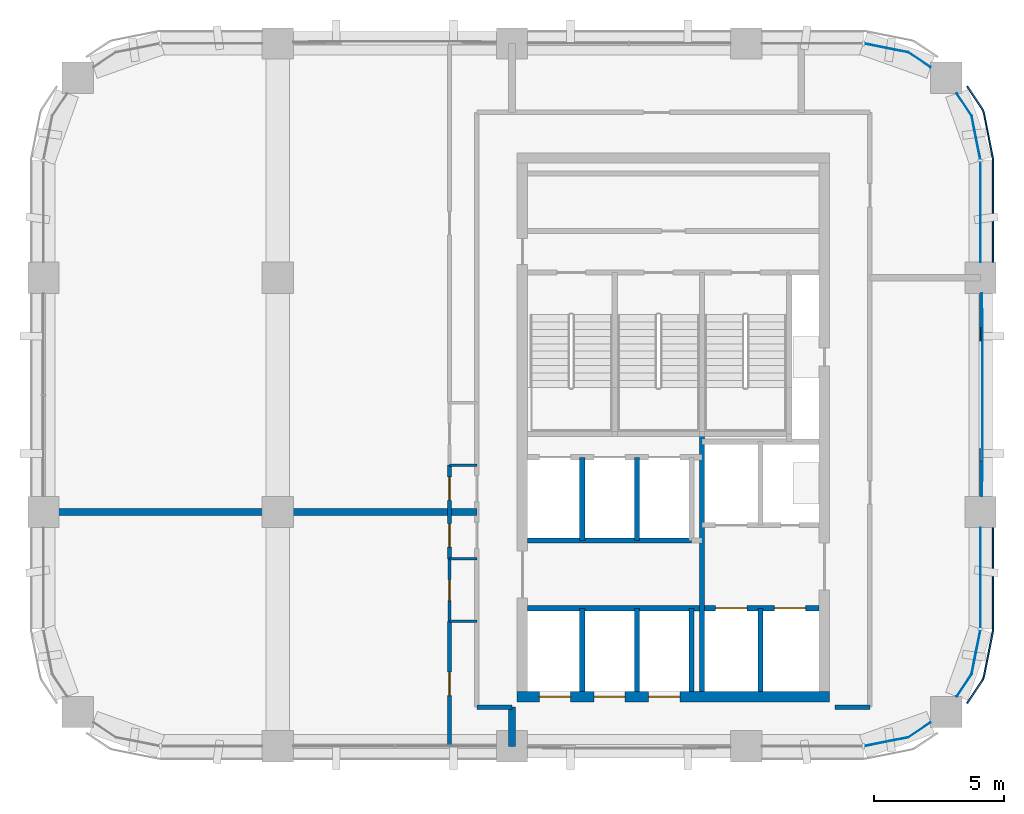
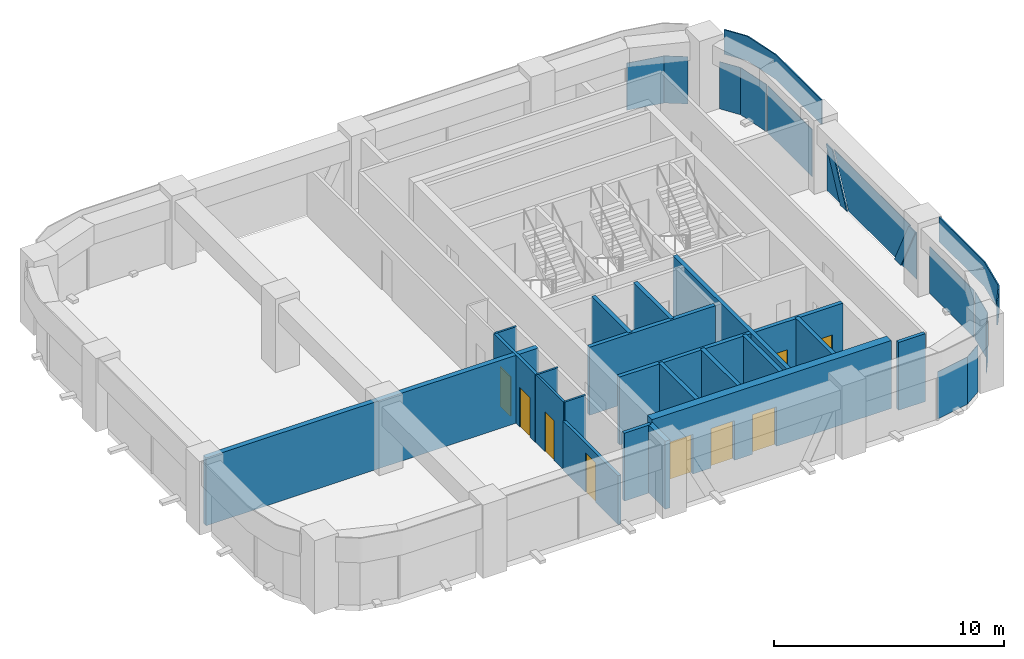
# One storey, part 6 of 9: 20 walls, 13 plates, 9 doors, 9 openings, 5 elements without a shape of their own.
"""IFC4 building model written with IfcOpenShell, lengths in metres."""

from ifc_helpers import new_model, si_unit, direction, frame, frame_2d, origin, origin_2d, place, context, subcontext, project, spatial, polyline, rectangle, outline, extrude, material, layer, layer_set, type_object, element, fill, aggregate, save


model = new_model("IFC4")

# Units and contexts
model_context = context("Model", 3, precision=1e-05, world=origin(), true_north=direction((0.0, 1.0)))
body_context = subcontext(model_context, "Body", "Model", "MODEL_VIEW")
ifc_project = project(units=[si_unit("LENGTHUNIT", "METRE"), si_unit("AREAUNIT", "SQUARE_METRE"), si_unit("VOLUMEUNIT", "CUBIC_METRE"), si_unit("PLANEANGLEUNIT", "RADIAN"), si_unit("MASSUNIT", "GRAM", prefix="KILO")], contexts=[model_context])

# Site, building, storey
site_placement = place(None, origin())
site = spatial("IfcSite", under=ifc_project, at=site_placement, CompositionType="ELEMENT")
building_placement = place(site_placement, origin())
building = spatial("IfcBuilding", under=site, at=building_placement, Name="Tessera Arch", CompositionType="ELEMENT")
storey_placement = place(building_placement, frame((0.0, 0.0, 277.39990234375)))
storey = spatial("IfcBuildingStorey", under=building, at=storey_placement, Name="L67", CompositionType="ELEMENT", Elevation=277.39990234375)

# Curtain wall, plates
ifc_material_1 = material(Name="CW2 curtain wall")
curtain_wall_type_1 = type_object("IfcCurtainWallType", Name="CW2 curtain wall", PredefinedType="NOTDEFINED", material=ifc_material_1)
curtain_wall_1_placement = place(storey_placement, origin())
curtain_wall_1 = element("IfcCurtainWall", 1, at=curtain_wall_1_placement, inside=storey, type_object=curtain_wall_type_1, Name="CW2 curtain wall E54.27/1 L67", PredefinedType="NOTDEFINED")
ifc_material_2 = material(Name="Clear low-e glass", Category="glass")
ifc_material_3 = material(Name="Clear low-e glass", Category="glass")
ifc_layer_1 = layer(ifc_material_3, 0.028076171875)
ifc_layer_set_1 = layer_set([ifc_layer_1], Name="CW2 glass panel")
plate_type_1 = type_object("IfcPlateType", Name="CW2 glass panel", PredefinedType="CURTAIN_PANEL", material=ifc_layer_set_1)
plate_1_placement = place(storey_placement, frame((54.0, 47.530029296875, 0.0), z_axis=(0.0, 0.0, 1.0), x_axis=(0.0, 1.0, 0.0)))
plate_1 = element("IfcPlate", 2, at=plate_1_placement, type_object=plate_type_1, material=ifc_material_2, Name="CW2 glass panel E54.27/1 1.1", PredefinedType="CURTAIN_PANEL", context=body_context, shape_type="SweptSolid", body=[
    extrude(rectangle(XDim=3.860107421875, YDim=0.028076171875, at=origin_2d()), origin(), (0.0, 0.0, 1.0), 2.5),
])
plate_2_placement = place(storey_placement, origin())
plate_2 = element("IfcPlate", 3, at=plate_2_placement, type_object=plate_type_1, material=ifc_material_2, Name="CW2 curved glass panel E54.27/1 2.1", PredefinedType="CURTAIN_PANEL", context=body_context, shape_type="SweptSolid", body=[
    extrude(outline(polyline([(53.644287109375, 51.216552734375), (53.978515625, 49.53662109375), (54.005859375, 49.5419921875), (53.670654296875, 51.2275390625), (53.094482421875, 52.08984375), (53.0712890625, 52.07421875), (53.644287109375, 51.216552734375)])), origin(), (0.0, 0.0, 1.0), 2.5),
])

# Curtain wall, plate
curtain_wall_2_placement = place(storey_placement, origin())
curtain_wall_2 = element("IfcCurtainWall", 4, at=curtain_wall_2_placement, inside=storey, type_object=curtain_wall_type_1, Name="CW2 curtain wall N54.18/0 L67", PredefinedType="NOTDEFINED")
plate_3_placement = place(storey_placement, origin())
plate_3 = element("IfcPlate", 5, at=plate_3_placement, type_object=plate_type_1, material=ifc_material_2, Name="CW2 curved glass panel N54.18/0 2.1", PredefinedType="CURTAIN_PANEL", context=body_context, shape_type="SweptSolid", body=[
    extrude(outline(polyline([(51.216552734375, 53.644287109375), (52.07421875, 53.0712890625), (52.08984375, 53.094482421875), (51.2275390625, 53.670654296875), (49.5419921875, 54.005859375), (49.53662109375, 53.978515625), (51.216552734375, 53.644287109375)])), origin(), (0.0, 0.0, 1.0), 2.5),
])
aggregate(curtain_wall_2, [plate_3])

curtain_wall_3_placement = place(storey_placement, origin())
curtain_wall_3 = element("IfcCurtainWall", 6, at=curtain_wall_3_placement, inside=storey, type_object=curtain_wall_type_1, Name="CW2 curtain wall S27.18/3 L67", PredefinedType="NOTDEFINED")
plate_4_placement = place(storey_placement, origin())
plate_4 = element("IfcPlate", 7, at=plate_4_placement, type_object=plate_type_1, material=ifc_material_2, Name="CW2 curved glass panel S27.18/3 2.1", PredefinedType="CURTAIN_PANEL", context=body_context, shape_type="SweptSolid", body=[
    extrude(outline(polyline([(51.216552734375, 27.355712890625), (49.53662109375, 27.021484375), (49.5419921875, 26.994140625), (51.2275390625, 27.329345703125), (52.08984375, 27.905517578125), (52.07421875, 27.9287109375), (51.216552734375, 27.355712890625)])), origin(), (0.0, 0.0, 1.0), 2.5),
])
aggregate(curtain_wall_3, [plate_4])

# Curtain wall, plates
curtain_wall_4_placement = place(storey_placement, origin())
curtain_wall_4 = element("IfcCurtainWall", 8, at=curtain_wall_4_placement, inside=storey, type_object=curtain_wall_type_1, Name="CW2 curtain wall E54.27/2 L67", PredefinedType="NOTDEFINED")
plate_5_placement = place(storey_placement, frame((54.0, 33.469970703125, 0.0), z_axis=(0.0, 0.0, 1.0), x_axis=(0.0, 1.0, 0.0)))
plate_5 = element("IfcPlate", 9, at=plate_5_placement, type_object=plate_type_1, material=ifc_material_2, Name="CW2 glass panel E54.27/2 1.1", PredefinedType="CURTAIN_PANEL", context=body_context, shape_type="SweptSolid", body=[
    extrude(rectangle(XDim=3.860107421875, YDim=0.028076171875, at=origin_2d()), origin(), (0.0, 0.0, 1.0), 2.5),
])
plate_6_placement = place(storey_placement, origin())
plate_6 = element("IfcPlate", 10, at=plate_6_placement, type_object=plate_type_1, material=ifc_material_2, Name="CW2 curved glass panel E54.27/2 2.1", PredefinedType="CURTAIN_PANEL", context=body_context, shape_type="SweptSolid", body=[
    extrude(outline(polyline([(53.644287109375, 29.783447265625), (53.0712890625, 28.92578125), (53.094482421875, 28.91015625), (53.670654296875, 29.7724609375), (54.005859375, 31.4580078125), (53.978515625, 31.46337890625), (53.644287109375, 29.783447265625)])), origin(), (0.0, 0.0, 1.0), 2.5),
])

# Plate
ifc_material_4 = material(Name="Pale anodised aluminium panel", Category="aluminium")
ifc_layer_2 = layer(ifc_material_4, 0.06005859375)
ifc_layer_set_2 = layer_set([ifc_layer_2], Name="CW2 spandrel panel")
plate_type_2 = type_object("IfcPlateType", Name="CW2 spandrel panel", PredefinedType="CURTAIN_PANEL", material=ifc_layer_set_2)
plate_7_placement = place(storey_placement, frame((0.0, 0.0, 2.60009765625)))
plate_7 = element("IfcPlate", 11, at=plate_7_placement, type_object=plate_type_2, Name="CW2 spandrel panel E54.27/1", PredefinedType="CURTAIN_PANEL", context=body_context, shape_type="SweptSolid", body=[
    extrude(outline(polyline([(54.449951171875, 49.499267578125), (54.449951171875, 45.60009765625), (54.510009765625, 45.60009765625), (54.510009765625, 49.500732421875), (54.507568359375, 49.550048828125), (54.500244140625, 49.598876953125), (54.157470703125, 51.322265625), (54.1455078125, 51.3701171875), (54.128662109375, 51.417236328125), (54.107421875, 51.462646484375), (54.08203125, 51.5048828125), (53.5068359375, 52.365234375), (53.45703125, 52.33203125), (54.03125, 51.47265625), (54.054443359375, 51.434326171875), (54.0732421875, 51.394287109375), (54.088134765625, 51.352783203125), (54.09912109375, 51.30908203125), (54.441162109375, 49.588623046875), (54.44775390625, 49.544189453125), (54.449951171875, 49.499267578125)])), origin(), (0.0, 0.0, 1.0), 1.300048828125),
])

aggregate(curtain_wall_1, [plate_1, plate_2, plate_7])

plate_8_placement = place(storey_placement, frame((0.0, 0.0, 2.60009765625)))
plate_8 = element("IfcPlate", 12, at=plate_8_placement, type_object=plate_type_2, Name="CW2 spandrel panel E54.27/2", PredefinedType="CURTAIN_PANEL", context=body_context, shape_type="SweptSolid", body=[
    extrude(outline(polyline([(54.03125, 29.52734375), (53.45703125, 28.66796875), (53.5068359375, 28.634765625), (54.08203125, 29.4951171875), (54.107421875, 29.537353515625), (54.128662109375, 29.582763671875), (54.1455078125, 29.6298828125), (54.157470703125, 29.677734375), (54.500244140625, 31.401123046875), (54.507568359375, 31.449951171875), (54.510009765625, 31.499267578125), (54.510009765625, 35.39990234375), (54.449951171875, 35.39990234375), (54.449951171875, 31.500732421875), (54.44775390625, 31.455810546875), (54.441162109375, 31.411376953125), (54.09912109375, 29.69091796875), (54.088134765625, 29.647216796875), (54.0732421875, 29.605712890625), (54.054443359375, 29.565673828125), (54.03125, 29.52734375)])), origin(), (0.0, 0.0, 1.0), 1.300048828125),
])

aggregate(curtain_wall_4, [plate_5, plate_6, plate_8])

# Curtain wall, plates
ifc_material_5 = material(Name="CW3 curtain wall")
curtain_wall_type_2 = type_object("IfcCurtainWallType", Name="CW3 curtain wall", PredefinedType="NOTDEFINED", material=ifc_material_5)
curtain_wall_5_placement = place(storey_placement, origin())
curtain_wall_5 = element("IfcCurtainWall", 13, at=curtain_wall_5_placement, inside=storey, type_object=curtain_wall_type_2, Name="CW3 curtain wall E54.27/0 L67", PredefinedType="NOTDEFINED")
ifc_material_6 = material(Name="Pale anodised aluminium panel", Category="aluminium")
ifc_layer_3 = layer(ifc_material_6, 0.06005859375)
ifc_layer_set_3 = layer_set([ifc_layer_3], Name="CW3 diagonal panel")
plate_type_3 = type_object("IfcPlateType", Name="CW3 diagonal panel", PredefinedType="CURTAIN_PANEL", material=ifc_layer_set_3)
plate_9_placement = place(storey_placement, frame((54.030029296875, 44.38232421875, 2.5), z_axis=(1.0, 0.0, 0.0), x_axis=(0.0, -1.0, 0.0)))
plate_9 = element("IfcPlate", 14, at=plate_9_placement, type_object=plate_type_3, Name="CW3 diagonal panel E54.27/0 1", PredefinedType="CURTAIN_PANEL", context=body_context, shape_type="SweptSolid", body=[
    extrude(outline(polyline([(0.0, 0.0), (0.564697265625, 0.0), (1.814697265625, 2.5), (1.25, 2.5), (0.0, 0.0)])), origin(), (0.0, 0.0, -1.0), 0.06005859375),
])
plate_10_placement = place(storey_placement, frame((54.030029296875, 37.182373046875, 2.5), z_axis=(1.0, 0.0, 0.0), x_axis=(0.0, -1.0, 0.0)))
plate_10 = element("IfcPlate", 15, at=plate_10_placement, type_object=plate_type_3, Name="CW3 diagonal panel E54.27/0 2", PredefinedType="CURTAIN_PANEL", context=body_context, shape_type="SweptSolid", body=[
    extrude(outline(polyline([(0.0, 0.0), (0.564697265625, 0.0), (-0.685302734375, 2.5), (-1.25, 2.5), (0.0, 0.0)])), origin(), (0.0, 0.0, -1.0), 0.06005859375),
])
ifc_material_7 = material(Name="Clear low-e glass", Category="glass")
ifc_layer_4 = layer(ifc_material_7, 0.028076171875)
ifc_layer_set_4 = layer_set([ifc_layer_4], Name="CW3 glass panel")
plate_type_4 = type_object("IfcPlateType", Name="CW3 glass panel", PredefinedType="CURTAIN_PANEL", material=ifc_layer_set_4)
plate_11_placement = place(storey_placement, frame((54.05810546875, 36.60009765625, 0.0), z_axis=(1.0, 0.0, 0.0), x_axis=(0.0, 1.0, 0.0)))
plate_11 = element("IfcPlate", 16, at=plate_11_placement, type_object=plate_type_4, material=ifc_material_2, Name="CW3 triangulated glass panel E54.27/0 1", PredefinedType="CURTAIN_PANEL", context=body_context, shape_type="SweptSolid", body=[
    extrude(outline(polyline([(0.0, 0.0), (1.267578125, 0.0), (0.017578125, 2.5), (0.0, 2.5), (0.0, 0.0)])), origin(), (0.0, 0.0, -1.0), 0.028076171875),
])
plate_12_placement = place(storey_placement, frame((54.0859375, 43.817626953125, 2.5), z_axis=(1.0, 0.0, 0.0), x_axis=(0.0, -1.0, 0.0)))
plate_12 = element("IfcPlate", 17, at=plate_12_placement, type_object=plate_type_4, material=ifc_material_2, Name="CW3 triangulated glass panel E54.27/0 2", PredefinedType="CURTAIN_PANEL", context=body_context, shape_type="SweptSolid", body=[
    extrude(outline(polyline([(0.0, 0.0), (6.63525390625, 0.0), (5.38525390625, 2.5), (1.25, 2.5), (0.0, 0.0)])), origin(), (0.0, 0.0, -1.0), 0.028076171875),
])
plate_13_placement = place(storey_placement, frame((54.05810546875, 44.39990234375, 2.5), z_axis=(1.0, 0.0, 0.0), x_axis=(0.0, -1.0, 0.0)))
plate_13 = element("IfcPlate", 18, at=plate_13_placement, type_object=plate_type_4, material=ifc_material_2, Name="CW3 triangulated glass panel E54.27/0 3", PredefinedType="CURTAIN_PANEL", context=body_context, shape_type="SweptSolid", body=[
    extrude(outline(polyline([(0.0, 0.0), (0.017578125, 0.0), (1.267578125, 2.5), (0.0, 2.5), (0.0, 0.0)])), origin(), (0.0, 0.0, -1.0), 0.028076171875),
])
aggregate(curtain_wall_5, [plate_11, plate_12, plate_13, plate_9, plate_10])

# Wall, openings, doors
ifc_material_8 = material(Name="Concrete C50/60", Category="concrete")
ifc_layer_5 = layer(ifc_material_8, 0.39990234375)
ifc_layer_set_5 = layer_set([ifc_layer_5], Name="Core shell wall 400 C50-60")
wall_type_1 = type_object("IfcWallType", Name="Core shell wall 400 C50-60", PredefinedType="SHEAR", material=ifc_layer_set_5)
wall_1_placement = place(storey_placement, frame((36.199951171875, 28.89990234375, 0.0), z_axis=(0.0, 0.0, 1.0), x_axis=(1.0, 0.0, 0.0)))
wall_1 = element("IfcWall", 19, at=wall_1_placement, inside=storey, type_object=wall_type_1, Name="L67 C1 core wall S", PredefinedType="SHEAR", context=body_context, shape_type="SweptSolid", body=[
    extrude(rectangle(XDim=12.0, YDim=0.39990234375, at=frame_2d((6.0, 0.0))), origin(), (0.0, 0.0, 1.0), 3.60009765625),
])
opening_1_placement = place(wall_1_placement, frame((0.85009765625, 0.0, 0.0)))
opening_1 = element("IfcOpeningElement", 20, at=opening_1_placement, cuts=wall_1, Name="Opening L67-C01", PredefinedType="OPENING", context=body_context, shape_type="SweptSolid", body=[
    extrude(rectangle(XDim=1.199951171875, YDim=2.10009765625, at=frame_2d((0.60009765625, 1.050048828125))), frame((0.0, 0.2099609375, 0.0), z_axis=(0.0, -1.0, 0.0), x_axis=(1.0, 0.0, 0.0)), (0.0, 0.0, 1.0), 0.419921875),
])
opening_2_placement = place(wall_1_placement, frame((2.949951171875, 0.0, 0.0)))
opening_2 = element("IfcOpeningElement", 21, at=opening_2_placement, cuts=wall_1, Name="Opening L67-C03", PredefinedType="OPENING", context=body_context, shape_type="SweptSolid", body=[
    extrude(rectangle(XDim=1.199951171875, YDim=2.10009765625, at=frame_2d((0.60009765625, 1.050048828125))), frame((0.0, 0.2099609375, 0.0), z_axis=(0.0, -1.0, 0.0), x_axis=(1.0, 0.0, 0.0)), (0.0, 0.0, 1.0), 0.419921875),
])
opening_3_placement = place(wall_1_placement, frame((5.050048828125, 0.0, 0.0)))
opening_3 = element("IfcOpeningElement", 22, at=opening_3_placement, cuts=wall_1, Name="Opening L67-C05", PredefinedType="OPENING", context=body_context, shape_type="SweptSolid", body=[
    extrude(rectangle(XDim=1.199951171875, YDim=2.10009765625, at=frame_2d((0.60009765625, 1.050048828125))), frame((0.0, 0.2099609375, 0.0), z_axis=(0.0, -1.0, 0.0), x_axis=(1.0, 0.0, 0.0)), (0.0, 0.0, 1.0), 0.419921875),
])
ifc_material_9 = material(Name="Stainless steel AISI 304", Category="steel")
door_type_1 = type_object("IfcDoorType", Name="Sliding landing door 1200 x 2100", OperationType="SLIDING_TO_LEFT", PredefinedType="DOOR", material=ifc_material_9)
door_1_placement = place(opening_1_placement, origin())
door_1 = element("IfcDoor", 23, at=door_1_placement, inside=storey, type_object=door_type_1, Name="L67 HR1 lift landing door C01 type LD", OperationType="SLIDING_TO_LEFT", OverallHeight=2.10009765625, OverallWidth=1.199951171875, PredefinedType="DOOR", context=body_context, shape_type="SweptSolid", body=[
    extrude(rectangle(XDim=1.199951171875, YDim=2.10009765625, at=frame_2d((0.60009765625, 1.050048828125))), frame((0.0, 0.02490234375, 0.0), z_axis=(0.0, -1.0, 0.0), x_axis=(1.0, 0.0, 0.0)), (0.0, 0.0, 1.0), 0.050048828125),
])
fill(opening_1, door_1)
door_2_placement = place(opening_2_placement, origin())
door_2 = element("IfcDoor", 24, at=door_2_placement, inside=storey, type_object=door_type_1, Name="L67 HR2 lift landing door C03 type LD", OperationType="SLIDING_TO_LEFT", OverallHeight=2.10009765625, OverallWidth=1.199951171875, PredefinedType="DOOR", context=body_context, shape_type="SweptSolid", body=[
    extrude(rectangle(XDim=1.199951171875, YDim=2.10009765625, at=frame_2d((0.60009765625, 1.050048828125))), frame((0.0, 0.02490234375, 0.0), z_axis=(0.0, -1.0, 0.0), x_axis=(1.0, 0.0, 0.0)), (0.0, 0.0, 1.0), 0.050048828125),
])
fill(opening_2, door_2)
door_3_placement = place(opening_3_placement, origin())
door_3 = element("IfcDoor", 25, at=door_3_placement, inside=storey, type_object=door_type_1, Name="L67 HR3 lift landing door C05 type LD", OperationType="SLIDING_TO_LEFT", OverallHeight=2.10009765625, OverallWidth=1.199951171875, PredefinedType="DOOR", context=body_context, shape_type="SweptSolid", body=[
    extrude(rectangle(XDim=1.199951171875, YDim=2.10009765625, at=frame_2d((0.60009765625, 1.050048828125))), frame((0.0, 0.02490234375, 0.0), z_axis=(0.0, -1.0, 0.0), x_axis=(1.0, 0.0, 0.0)), (0.0, 0.0, 1.0), 0.050048828125),
])
fill(opening_3, door_3)

# Walls
ifc_material_10 = material(Name="Gypsum board on deep steel stud with mineral wool", Category="steel")
ifc_layer_6 = layer(ifc_material_10, 0.175048828125)
ifc_layer_set_6 = layer_set([ifc_layer_6], Name="Corridor wall 175 EI 60")
wall_type_2 = type_object("IfcWallType", Name="Corridor wall 175 EI 60", PredefinedType="PARTITIONING", material=ifc_layer_set_6)
for number, where, z_axis, x_axis, name in (
    (26, (34.64990234375, 28.5, 0.0), (0.0, 0.0, 1.0), (1.0, 0.0, 0.0), "L67 partition 1"),
    (27, (48.39990234375, 28.5, 0.0), (0.0, 0.0, 1.0), (1.0, 0.0, 0.0), "L67 partition 2"),
):
    element("IfcWall", number, at=place(storey_placement, frame(where, z_axis=z_axis, x_axis=x_axis)), inside=storey, type_object=wall_type_2, Name=name, PredefinedType="PARTITIONING", context=body_context, shape_type="SweptSolid", body=[
        extrude(rectangle(XDim=1.35009765625, YDim=0.175048828125, at=frame_2d((0.675048828125, 0.0))), origin(), (0.0, 0.0, 1.0), 3.60009765625),
    ])

# Wall, opening, door
ifc_material_11 = material(Name="Gypsum board on steel stud", Category="steel")
ifc_layer_7 = layer(ifc_material_11, 0.14990234375)
ifc_layer_set_7 = layer_set([ifc_layer_7], Name="Partition 150")
wall_type_3 = type_object("IfcWallType", Name="Partition 150", PredefinedType="PARTITIONING", material=ifc_layer_set_7)
wall_2_placement = place(storey_placement, frame((33.60009765625, 27.0, 0.0), z_axis=(0.0, 0.0, 1.0), x_axis=(0.0, 1.0, 0.0)))
wall_2 = element("IfcWall", 28, at=wall_2_placement, inside=storey, type_object=wall_type_3, Name="L67 partition 6", PredefinedType="PARTITIONING", context=body_context, shape_type="SweptSolid", body=[
    extrude(rectangle(XDim=4.800048828125, YDim=0.14990234375, at=frame_2d((2.39990234375, 0.0))), origin(), (0.0, 0.0, 1.0), 2.60009765625),
])
opening_4_placement = place(wall_2_placement, frame((1.949951171875, 0.0, 0.0)))
opening_4 = element("IfcOpeningElement", 29, at=opening_4_placement, cuts=wall_2, Name="Opening L67-D004", PredefinedType="OPENING", context=body_context, shape_type="SweptSolid", body=[
    extrude(rectangle(XDim=0.89990234375, YDim=2.10009765625, at=frame_2d((0.449951171875, 1.050048828125))), frame((0.0, 0.0849609375, 0.0), z_axis=(0.0, -1.0, 0.0), x_axis=(1.0, 0.0, 0.0)), (0.0, 0.0, 1.0), 0.169921875),
])
ifc_material_12 = material(Name="Timber door leaf", Category="wood")
door_type_2 = type_object("IfcDoorType", Name="Room door 900 x 2100", OperationType="SINGLE_SWING_LEFT", PredefinedType="DOOR", material=ifc_material_12)
door_4_placement = place(opening_4_placement, origin())
door_4 = element("IfcDoor", 30, at=door_4_placement, inside=storey, type_object=door_type_2, Name="L67 door D004 type D01", OperationType="SINGLE_SWING_RIGHT", OverallHeight=2.10009765625, OverallWidth=0.89990234375, PredefinedType="DOOR", context=body_context, shape_type="SweptSolid", body=[
    extrude(rectangle(XDim=0.89990234375, YDim=2.10009765625, at=frame_2d((0.449951171875, 1.050048828125))), frame((0.0, 0.02490234375, 0.0), z_axis=(0.0, -1.0, 0.0), x_axis=(1.0, 0.0, 0.0)), (0.0, 0.0, 1.0), 0.050048828125),
])
fill(opening_4, door_4)

# Wall, openings, doors
wall_3_placement = place(storey_placement, frame((33.60009765625, 34.199951171875, 0.0), z_axis=(0.0, 0.0, 1.0), x_axis=(0.0, 1.0, 0.0)))
wall_3 = element("IfcWall", 31, at=wall_3_placement, inside=storey, type_object=wall_type_3, Name="L67 partition 7", PredefinedType="PARTITIONING", context=body_context, shape_type="SweptSolid", body=[
    extrude(rectangle(XDim=3.60009765625, YDim=0.14990234375, at=frame_2d((1.800048828125, 0.0))), origin(), (0.0, 0.0, 1.0), 3.60009765625),
])
opening_5_placement = place(wall_3_placement, frame((0.449951171875, 0.0, 0.0)))
opening_5 = element("IfcOpeningElement", 32, at=opening_5_placement, cuts=wall_3, Name="Opening L67-D002", PredefinedType="OPENING", context=body_context, shape_type="SweptSolid", body=[
    extrude(rectangle(XDim=0.89990234375, YDim=2.10009765625, at=frame_2d((0.449951171875, 1.050048828125))), frame((0.0, 0.0849609375, 0.0), z_axis=(0.0, -1.0, 0.0), x_axis=(1.0, 0.0, 0.0)), (0.0, 0.0, 1.0), 0.169921875),
])
opening_6_placement = place(wall_3_placement, frame((2.25, 0.0, 0.0)))
opening_6 = element("IfcOpeningElement", 33, at=opening_6_placement, cuts=wall_3, Name="Opening L67-D007", PredefinedType="OPENING", context=body_context, shape_type="SweptSolid", body=[
    extrude(rectangle(XDim=0.89990234375, YDim=2.10009765625, at=frame_2d((0.449951171875, 1.050048828125))), frame((0.0, 0.0849609375, 0.0), z_axis=(0.0, -1.0, 0.0), x_axis=(1.0, 0.0, 0.0)), (0.0, 0.0, 1.0), 0.169921875),
])
door_5_placement = place(opening_5_placement, origin())
door_5 = element("IfcDoor", 34, at=door_5_placement, inside=storey, type_object=door_type_2, Name="L67 door D002 type D01", OperationType="SINGLE_SWING_RIGHT", OverallHeight=2.10009765625, OverallWidth=0.89990234375, PredefinedType="DOOR", context=body_context, shape_type="SweptSolid", body=[
    extrude(rectangle(XDim=0.89990234375, YDim=2.10009765625, at=frame_2d((0.449951171875, 1.050048828125))), frame((0.0, 0.02490234375, 0.0), z_axis=(0.0, -1.0, 0.0), x_axis=(1.0, 0.0, 0.0)), (0.0, 0.0, 1.0), 0.050048828125),
])
fill(opening_5, door_5)
door_6_placement = place(opening_6_placement, origin())
door_6 = element("IfcDoor", 35, at=door_6_placement, inside=storey, type_object=door_type_2, Name="L67 door D007 type D01", OperationType="SINGLE_SWING_RIGHT", OverallHeight=2.10009765625, OverallWidth=0.89990234375, PredefinedType="DOOR", context=body_context, shape_type="SweptSolid", body=[
    extrude(rectangle(XDim=0.89990234375, YDim=2.10009765625, at=frame_2d((0.449951171875, 1.050048828125))), frame((0.0, 0.02490234375, 0.0), z_axis=(0.0, -1.0, 0.0), x_axis=(1.0, 0.0, 0.0)), (0.0, 0.0, 1.0), 0.050048828125),
])
fill(opening_6, door_6)

# Walls
ifc_material_13 = material(Name="Double gypsum board on twin steel stud with acoustic mineral wool", Category="steel")
ifc_layer_8 = layer(ifc_material_13, 0.25)
ifc_layer_set_8 = layer_set([ifc_layer_8], Name="Party wall 250 EI 60")
wall_type_4 = type_object("IfcWallType", Name="Party wall 250 EI 60", PredefinedType="PARTITIONING", material=ifc_layer_set_8)
wall_4_placement = place(storey_placement, frame((18.0, 36.0, 0.0), z_axis=(0.0, 0.0, 1.0), x_axis=(1.0, 0.0, 0.0)))
element("IfcWall", 36, at=wall_4_placement, inside=storey, type_object=wall_type_4, Name="L67 partition 9", PredefinedType="PARTITIONING", context=body_context, shape_type="SweptSolid", body=[
    extrude(rectangle(XDim=16.64990234375, YDim=0.25, at=frame_2d((8.324951171875, 0.0))), origin(), (0.0, 0.0, 1.0), 3.60009765625),
])
wall_5_placement = place(storey_placement, frame((36.0, 27.0, 0.0), z_axis=(0.0, 0.0, 1.0), x_axis=(0.0, 1.0, 0.0)))
element("IfcWall", 37, at=wall_5_placement, inside=storey, type_object=wall_type_4, Name="L67 partition 11", PredefinedType="PARTITIONING", context=body_context, shape_type="SweptSolid", body=[
    extrude(rectangle(XDim=1.5, YDim=0.25, at=frame_2d((0.75, 0.0))), origin(), (0.0, 0.0, 1.0), 3.60009765625),
])
ifc_material_14 = material(Name="Concrete C40/50", Category="concrete")
ifc_layer_9 = layer(ifc_material_14, 0.199951171875)
ifc_layer_set_9 = layer_set([ifc_layer_9], Name="Shaft wall 200 EI 120")
wall_type_5 = type_object("IfcWallType", Name="Shaft wall 200 EI 120", PredefinedType="SOLIDWALL", material=ifc_layer_set_9)
wall_6_placement = place(storey_placement, frame((38.699951171875, 29.10009765625, 0.0), z_axis=(0.0, 0.0, 1.0), x_axis=(0.0, 1.0, 0.0)))
element("IfcWall", 38, at=wall_6_placement, inside=storey, type_object=wall_type_5, Name="L67 C1 shaft wall 1", PredefinedType="SOLIDWALL", context=body_context, shape_type="SweptSolid", body=[
    extrude(rectangle(XDim=3.199951171875, YDim=0.199951171875, at=frame_2d((1.60009765625, 0.0))), origin(), (0.0, 0.0, 1.0), 3.60009765625),
])
wall_7_placement = place(storey_placement, frame((38.699951171875, 34.89990234375, 0.0), z_axis=(0.0, 0.0, 1.0), x_axis=(0.0, 1.0, 0.0)))
element("IfcWall", 39, at=wall_7_placement, inside=storey, type_object=wall_type_5, Name="L67 C1 shaft wall 2", PredefinedType="SOLIDWALL", context=body_context, shape_type="SweptSolid", body=[
    extrude(rectangle(XDim=3.2001953125, YDim=0.199951171875, at=frame_2d((1.60009765625, 0.0))), origin(), (0.0, 0.0, 1.0), 3.60009765625),
])
wall_8_placement = place(storey_placement, frame((40.800048828125, 29.10009765625, 0.0), z_axis=(0.0, 0.0, 1.0), x_axis=(0.0, 1.0, 0.0)))
element("IfcWall", 40, at=wall_8_placement, inside=storey, type_object=wall_type_5, Name="L67 C1 shaft wall 5", PredefinedType="SOLIDWALL", context=body_context, shape_type="SweptSolid", body=[
    extrude(rectangle(XDim=3.199951171875, YDim=0.199951171875, at=frame_2d((1.60009765625, 0.0))), origin(), (0.0, 0.0, 1.0), 3.60009765625),
])
wall_9_placement = place(storey_placement, frame((40.800048828125, 34.89990234375, 0.0), z_axis=(0.0, 0.0, 1.0), x_axis=(0.0, 1.0, 0.0)))
element("IfcWall", 41, at=wall_9_placement, inside=storey, type_object=wall_type_5, Name="L67 C1 shaft wall 6", PredefinedType="SOLIDWALL", context=body_context, shape_type="SweptSolid", body=[
    extrude(rectangle(XDim=3.2001953125, YDim=0.199951171875, at=frame_2d((1.60009765625, 0.0))), origin(), (0.0, 0.0, 1.0), 3.60009765625),
])
wall_10_placement = place(storey_placement, frame((42.89990234375, 29.10009765625, 0.0), z_axis=(0.0, 0.0, 1.0), x_axis=(0.0, 1.0, 0.0)))
element("IfcWall", 42, at=wall_10_placement, inside=storey, type_object=wall_type_5, Name="L67 C1 shaft wall 7", PredefinedType="SOLIDWALL", context=body_context, shape_type="SweptSolid", body=[
    extrude(rectangle(XDim=3.199951171875, YDim=0.199951171875, at=frame_2d((1.60009765625, 0.0))), origin(), (0.0, 0.0, 1.0), 3.60009765625),
])
wall_11_placement = place(storey_placement, frame((43.300048828125, 29.10009765625, 0.0), z_axis=(0.0, 0.0, 1.0), x_axis=(0.0, 1.0, 0.0)))
element("IfcWall", 43, at=wall_11_placement, inside=storey, type_object=wall_type_5, Name="L67 C1 shaft wall 9", PredefinedType="SOLIDWALL", context=body_context, shape_type="SweptSolid", body=[
    extrude(rectangle(XDim=9.89990234375, YDim=0.199951171875, at=frame_2d((4.949951171875, 0.0))), origin(), (0.0, 0.0, 1.0), 3.60009765625),
])
wall_12_placement = place(storey_placement, frame((45.550048828125, 29.10009765625, 0.0), z_axis=(0.0, 0.0, 1.0), x_axis=(0.0, 1.0, 0.0)))
element("IfcWall", 44, at=wall_12_placement, inside=storey, type_object=wall_type_5, Name="L67 C1 shaft wall 12", PredefinedType="SOLIDWALL", context=body_context, shape_type="SweptSolid", body=[
    extrude(rectangle(XDim=3.199951171875, YDim=0.199951171875, at=frame_2d((1.60009765625, 0.0))), origin(), (0.0, 0.0, 1.0), 3.60009765625),
])

# Wall, openings, doors
wall_13_placement = place(storey_placement, frame((36.60009765625, 32.300048828125, 0.0), z_axis=(0.0, 0.0, 1.0), x_axis=(1.0, 0.0, 0.0)))
wall_13 = element("IfcWall", 45, at=wall_13_placement, inside=storey, type_object=wall_type_5, Name="L67 C1 shaft wall 17", PredefinedType="SOLIDWALL", context=body_context, shape_type="SweptSolid", body=[
    extrude(rectangle(XDim=11.199951171875, YDim=0.199951171875, at=frame_2d((5.60009765625, 0.0))), origin(), (0.0, 0.0, 1.0), 3.60009765625),
])
opening_7_placement = place(wall_13_placement, frame((7.22509765625, 0.0, 0.0)))
opening_7 = element("IfcOpeningElement", 46, at=opening_7_placement, cuts=wall_13, Name="Opening L67-C07", PredefinedType="OPENING", context=body_context, shape_type="SweptSolid", body=[
    extrude(rectangle(XDim=1.199951171875, YDim=2.10009765625, at=frame_2d((0.60009765625, 1.050048828125))), frame((0.0, 0.10986328125, 0.0), z_axis=(0.0, -1.0, 0.0), x_axis=(1.0, 0.0, 0.0)), (0.0, 0.0, 1.0), 0.219970703125),
])
opening_8_placement = place(wall_13_placement, frame((9.47509765625, 0.0, 0.0)))
opening_8 = element("IfcOpeningElement", 47, at=opening_8_placement, cuts=wall_13, Name="Opening L67-C08", PredefinedType="OPENING", context=body_context, shape_type="SweptSolid", body=[
    extrude(rectangle(XDim=1.199951171875, YDim=2.10009765625, at=frame_2d((0.60009765625, 1.050048828125))), frame((0.0, 0.10986328125, 0.0), z_axis=(0.0, -1.0, 0.0), x_axis=(1.0, 0.0, 0.0)), (0.0, 0.0, 1.0), 0.219970703125),
])
door_7_placement = place(opening_7_placement, origin())
door_7 = element("IfcDoor", 48, at=door_7_placement, inside=storey, type_object=door_type_1, Name="L67 FF1 lift landing door C07 type LD", OperationType="SLIDING_TO_LEFT", OverallHeight=2.10009765625, OverallWidth=1.199951171875, PredefinedType="DOOR", context=body_context, shape_type="SweptSolid", body=[
    extrude(rectangle(XDim=1.199951171875, YDim=2.10009765625, at=frame_2d((0.60009765625, 1.050048828125))), frame((0.0, 0.02490234375, 0.0), z_axis=(0.0, -1.0, 0.0), x_axis=(1.0, 0.0, 0.0)), (0.0, 0.0, 1.0), 0.050048828125),
])
fill(opening_7, door_7)
door_8_placement = place(opening_8_placement, origin())
door_8 = element("IfcDoor", 49, at=door_8_placement, inside=storey, type_object=door_type_1, Name="L67 FF2 lift landing door C08 type LD", OperationType="SLIDING_TO_LEFT", OverallHeight=2.10009765625, OverallWidth=1.199951171875, PredefinedType="DOOR", context=body_context, shape_type="SweptSolid", body=[
    extrude(rectangle(XDim=1.199951171875, YDim=2.10009765625, at=frame_2d((0.60009765625, 1.050048828125))), frame((0.0, 0.02490234375, 0.0), z_axis=(0.0, -1.0, 0.0), x_axis=(1.0, 0.0, 0.0)), (0.0, 0.0, 1.0), 0.050048828125),
])
fill(opening_8, door_8)

# Walls
wall_14_placement = place(storey_placement, frame((36.60009765625, 34.89990234375, 0.0), z_axis=(0.0, 0.0, 1.0), x_axis=(1.0, 0.0, 0.0)))
element("IfcWall", 50, at=wall_14_placement, inside=storey, type_object=wall_type_5, Name="L67 C1 shaft wall 19", PredefinedType="SOLIDWALL", context=body_context, shape_type="SweptSolid", body=[
    extrude(rectangle(XDim=6.2998046875, YDim=0.199951171875, at=frame_2d((3.14990234375, 0.0))), origin(), (0.0, 0.0, 1.0), 3.60009765625),
])
ifc_material_15 = material(Name="Moisture-resistant board on pre-plumbed steel stud", Category="steel")
ifc_layer_10 = layer(ifc_material_15, 0.10009765625)
ifc_layer_set_10 = layer_set([ifc_layer_10], Name="Wet wall 100")
wall_type_6 = type_object("IfcWallType", Name="Wet wall 100", PredefinedType="PARTITIONING", material=ifc_layer_set_10)
for number, where, z_axis, x_axis, name in (
    (51, (33.60009765625, 31.800048828125, 0.0), (0.0, 0.0, 1.0), (1.0, 0.0, 0.0), "L67 partition 14"),
    (52, (33.60009765625, 34.199951171875, 0.0), (0.0, 0.0, 1.0), (1.0, 0.0, 0.0), "L67 partition 15"),
    (53, (33.60009765625, 37.800048828125, 0.0), (0.0, 0.0, 1.0), (1.0, 0.0, 0.0), "L67 partition 16"),
):
    element("IfcWall", number, at=place(storey_placement, frame(where, z_axis=z_axis, x_axis=x_axis)), inside=storey, type_object=wall_type_6, Name=name, PredefinedType="PARTITIONING", context=body_context, shape_type="SweptSolid", body=[
        extrude(rectangle(XDim=1.0498046875, YDim=0.10009765625, at=frame_2d((0.52490234375, 0.0))), origin(), (0.0, 0.0, 1.0), 3.60009765625),
    ])

# Wall, opening, door
wall_15_placement = place(storey_placement, frame((33.60009765625, 31.800048828125, 0.0), z_axis=(0.0, 0.0, 1.0), x_axis=(0.0, 1.0, 0.0)))
wall_15 = element("IfcWall", 54, at=wall_15_placement, inside=storey, type_object=wall_type_6, Name="L67 partition 18", PredefinedType="PARTITIONING", context=body_context, shape_type="SweptSolid", body=[
    extrude(rectangle(XDim=2.39990234375, YDim=0.10009765625, at=frame_2d((1.199951171875, 0.0))), origin(), (0.0, 0.0, 1.0), 3.60009765625),
])
opening_9_placement = place(wall_15_placement, frame((0.800048828125, 0.0, 0.0)))
opening_9 = element("IfcOpeningElement", 55, at=opening_9_placement, cuts=wall_15, Name="Opening L67-D003", PredefinedType="OPENING", context=body_context, shape_type="SweptSolid", body=[
    extrude(rectangle(XDim=0.800048828125, YDim=2.10009765625, at=frame_2d((0.39990234375, 1.050048828125))), frame((0.0, 0.06005859375, 0.0), z_axis=(0.0, -1.0, 0.0), x_axis=(1.0, 0.0, 0.0)), (0.0, 0.0, 1.0), 0.1201171875),
])
ifc_material_16 = material(Name="Timber door leaf", Category="wood")
door_type_3 = type_object("IfcDoorType", Name="En-suite door 800 x 2100", OperationType="SINGLE_SWING_LEFT", PredefinedType="DOOR", material=ifc_material_16)
door_9_placement = place(opening_9_placement, origin())
door_9 = element("IfcDoor", 56, at=door_9_placement, inside=storey, type_object=door_type_3, Name="L67 door D003 type D02", OperationType="SINGLE_SWING_LEFT", OverallHeight=2.10009765625, OverallWidth=0.800048828125, PredefinedType="DOOR", context=body_context, shape_type="SweptSolid", body=[
    extrude(rectangle(XDim=0.800048828125, YDim=2.10009765625, at=frame_2d((0.39990234375, 1.050048828125))), frame((0.0, 0.02490234375, 0.0), z_axis=(0.0, -1.0, 0.0), x_axis=(1.0, 0.0, 0.0)), (0.0, 0.0, 1.0), 0.050048828125),
])
fill(opening_9, door_9)

save(model, "model.ifc")
